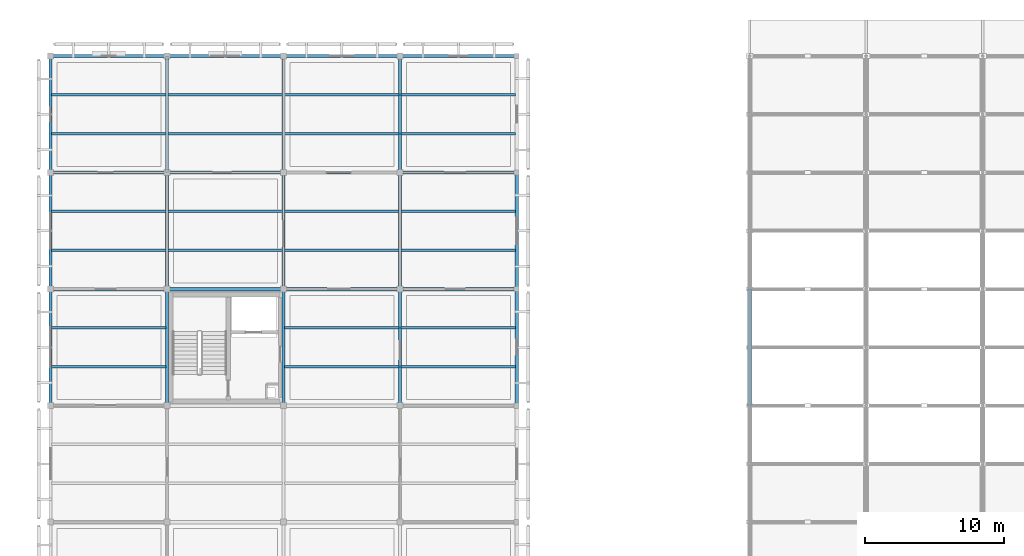
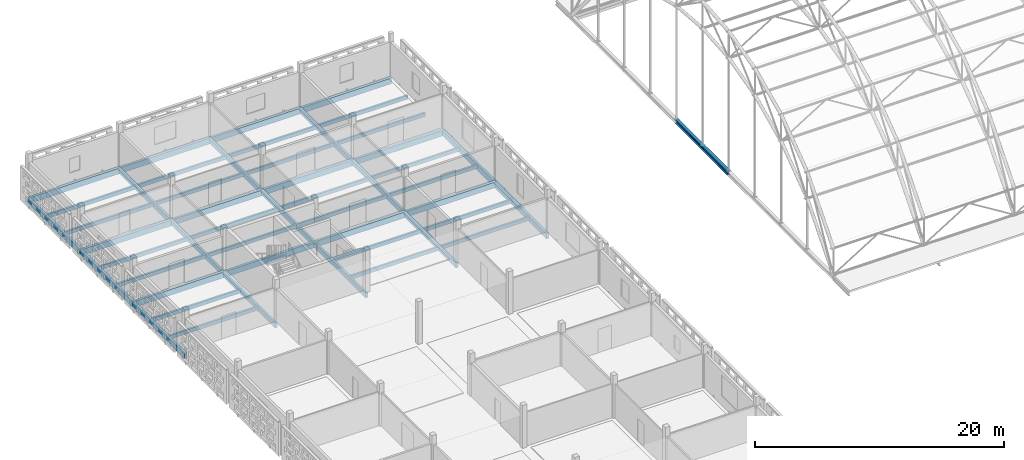
# One storey, part 12 of 103: 49 beams.
"""IFC4 building model written with IfcOpenShell, lengths in metres."""

from ifc_helpers import new_model, si_unit, direction, frame, origin, origin_2d, place, context, subcontext, project, spatial, rectangle, i_section, extrude, material, material_profile, profile_set, type_object, element, save


model = new_model("IFC4")

# Units and contexts
model_context = context("Model", 3, precision=1e-05, world=origin(), true_north=direction((0.0, 1.0)))
body_context = subcontext(model_context, "Body", "Model", "MODEL_VIEW")
ifc_project = project(units=[si_unit("LENGTHUNIT", "METRE"), si_unit("AREAUNIT", "SQUARE_METRE"), si_unit("VOLUMEUNIT", "CUBIC_METRE"), si_unit("PLANEANGLEUNIT", "RADIAN"), si_unit("MASSUNIT", "GRAM", prefix="KILO")], contexts=[model_context])

# Site, building, storey
site_placement = place(None, origin())
site = spatial("IfcSite", under=ifc_project, at=site_placement, CompositionType="ELEMENT")
building_placement = place(site_placement, origin())
building = spatial("IfcBuilding", under=site, at=building_placement, Name="Varnapada Polytechnic", CompositionType="ELEMENT")
storey_placement = place(building_placement, frame((0.0, 0.0, 18.0)))
storey = spatial("IfcBuildingStorey", under=building, at=storey_placement, Name="L04", CompositionType="ELEMENT", Elevation=18.0)

# Beams
ifc_material_1 = material(Name="Glulam GL32h", Category="wood")
ifc_material_profile_1 = material_profile(ifc_material_1, rectangle(XDim=0.239990234375, YDim=0.56005859375, at=origin_2d()), Name="GL 240x560")
ifc_profile_set_1 = profile_set([ifc_material_profile_1], Name="Glulam GL32h")
beam_type_1 = type_object("IfcBeamType", Name="Perimeter glulam spandrel beam SP-02 (GL 240x560)", PredefinedType="SPANDREL", material=ifc_profile_set_1)
beam_1_placement = place(storey_placement, frame((0.0, 126.0, -0.5), z_axis=(1.0, 0.0, 0.0), x_axis=(0.0, 1.0, 0.0)))
element("IfcBeam", 1, at=beam_1_placement, inside=storey, type_object=beam_type_1, Name="L04 beam X 1-2 at Y16", PredefinedType="SPANDREL", context=body_context, shape_type="SweptSolid", body=[
    extrude(rectangle(XDim=0.239990234375, YDim=0.56005859375, at=origin_2d()), origin(), (0.0, 0.0, 1.0), 8.39990234375),
])
beam_2_placement = place(storey_placement, frame((8.39990234375, 126.0, -0.5), z_axis=(1.0, 0.0, 0.0), x_axis=(0.0, 1.0, 0.0)))
element("IfcBeam", 2, at=beam_2_placement, inside=storey, type_object=beam_type_1, Name="L04 beam X 2-3 at Y16", PredefinedType="SPANDREL", context=body_context, shape_type="SweptSolid", body=[
    extrude(rectangle(XDim=0.239990234375, YDim=0.56005859375, at=origin_2d()), origin(), (0.0, 0.0, 1.0), 8.400146484375),
])
beam_3_placement = place(storey_placement, frame((16.800048828125, 126.0, -0.5), z_axis=(1.0, 0.0, 0.0), x_axis=(0.0, 1.0, 0.0)))
element("IfcBeam", 3, at=beam_3_placement, inside=storey, type_object=beam_type_1, Name="L04 beam X 3-4 at Y16", PredefinedType="SPANDREL", context=body_context, shape_type="SweptSolid", body=[
    extrude(rectangle(XDim=0.239990234375, YDim=0.56005859375, at=origin_2d()), origin(), (0.0, 0.0, 1.0), 8.39990234375),
])
beam_4_placement = place(storey_placement, frame((25.199951171875, 126.0, -0.5), z_axis=(1.0, 0.0, 0.0), x_axis=(0.0, 1.0, 0.0)))
element("IfcBeam", 4, at=beam_4_placement, inside=storey, type_object=beam_type_1, Name="L04 beam X 4-5 at Y16", PredefinedType="SPANDREL", context=body_context, shape_type="SweptSolid", body=[
    extrude(rectangle(XDim=0.239990234375, YDim=0.56005859375, at=origin_2d()), origin(), (0.0, 0.0, 1.0), 8.400146484375),
])
beam_5_placement = place(storey_placement, frame((0.0, 100.800048828125, -0.5), z_axis=(0.0, 1.0, 0.0), x_axis=(-1.0, 0.0, 0.0)))
element("IfcBeam", 5, at=beam_5_placement, inside=storey, type_object=beam_type_1, Name="L04 beam Y 13-14 at X1", PredefinedType="SPANDREL", context=body_context, shape_type="SweptSolid", body=[
    extrude(rectangle(XDim=0.239990234375, YDim=0.56005859375, at=origin_2d()), origin(), (0.0, 0.0, 1.0), 8.39990234375),
])
beam_6_placement = place(storey_placement, frame((0.0, 109.199951171875, -0.5), z_axis=(0.0, 1.0, 0.0), x_axis=(-1.0, 0.0, 0.0)))
element("IfcBeam", 6, at=beam_6_placement, inside=storey, type_object=beam_type_1, Name="L04 beam Y 14-15 at X1", PredefinedType="SPANDREL", context=body_context, shape_type="SweptSolid", body=[
    extrude(rectangle(XDim=0.239990234375, YDim=0.56005859375, at=origin_2d()), origin(), (0.0, 0.0, 1.0), 8.400146484375),
])
for number, where, z_axis, x_axis, name in (
    (7, (0.0, 117.60009765625, -0.5), (0.0, 1.0, 0.0), (-1.0, 0.0, 0.0), "L04 beam Y 15-16 at X1"),
    (8, (33.60009765625, 100.800048828125, -0.5), (0.0, 1.0, 0.0), (-1.0, 0.0, 0.0), "L04 beam Y 13-14 at X5"),
):
    element("IfcBeam", number, at=place(storey_placement, frame(where, z_axis=z_axis, x_axis=x_axis)), inside=storey, type_object=beam_type_1, Name=name, PredefinedType="SPANDREL", context=body_context, shape_type="SweptSolid", body=[
        extrude(rectangle(XDim=0.239990234375, YDim=0.56005859375, at=origin_2d()), origin(), (0.0, 0.0, 1.0), 8.39990234375),
    ])
beam_7_placement = place(storey_placement, frame((33.60009765625, 109.199951171875, -0.5), z_axis=(0.0, 1.0, 0.0), x_axis=(-1.0, 0.0, 0.0)))
element("IfcBeam", 9, at=beam_7_placement, inside=storey, type_object=beam_type_1, Name="L04 beam Y 14-15 at X5", PredefinedType="SPANDREL", context=body_context, shape_type="SweptSolid", body=[
    extrude(rectangle(XDim=0.239990234375, YDim=0.56005859375, at=origin_2d()), origin(), (0.0, 0.0, 1.0), 8.400146484375),
])
ifc_material_2 = material(Name="Steel S355", Category="steel")
ifc_material_profile_2 = material_profile(ifc_material_2, i_section(OverallWidth=0.300048828125, OverallDepth=0.389892578125, WebThickness=0.010986328125, FlangeThickness=0.01904296875, FilletRadius=0.027099609375, at=origin_2d()), Name="HEA 400")
ifc_profile_set_2 = profile_set([ifc_material_profile_2], Name="Steel S355")
beam_type_2 = type_object("IfcBeamType", Name="Steel roof primary girder SG-01 (HEA 400)", PredefinedType="BEAM", material=ifc_profile_set_2)
beam_8_placement = place(storey_placement, frame((50.39990234375, 100.800048828125, -0.18994140625), z_axis=(0.0, 1.0, 0.0), x_axis=(-1.0, 0.0, 0.0)))
element("IfcBeam", 10, at=beam_8_placement, inside=storey, type_object=beam_type_2, Name="L04 workshop arch tympanum sill girder W.3", PredefinedType="BEAM", context=body_context, shape_type="SweptSolid", body=[
    extrude(i_section(OverallWidth=0.300048828125, OverallDepth=0.389892578125, WebThickness=0.010986328125, FlangeThickness=0.01904296875, FilletRadius=0.027099609375, at=origin_2d()), origin(), (0.0, 0.0, 1.0), 8.39990234375),
])
ifc_material_profile_3 = material_profile(ifc_material_1, rectangle(XDim=0.239990234375, YDim=0.56005859375, at=origin_2d()), Name="GL 240x560")
ifc_profile_set_3 = profile_set([ifc_material_profile_3], Name="Glulam GL32h")
beam_type_3 = type_object("IfcBeamType", Name="Studio primary glulam girder GG-03 (GL 240x560)", PredefinedType="BEAM", material=ifc_profile_set_3)
for number, where, z_axis, x_axis, name in (
    (11, (0.0, 109.199951171875, -0.5), (1.0, 0.0, 0.0), (0.0, 1.0, 0.0), "L04 beam X 1-2 at Y14"),
    (12, (0.0, 117.60009765625, -0.5), (1.0, 0.0, 0.0), (0.0, 1.0, 0.0), "L04 beam X 1-2 at Y15"),
):
    element("IfcBeam", number, at=place(storey_placement, frame(where, z_axis=z_axis, x_axis=x_axis)), inside=storey, type_object=beam_type_3, Name=name, PredefinedType="BEAM", context=body_context, shape_type="SweptSolid", body=[
        extrude(rectangle(XDim=0.239990234375, YDim=0.56005859375, at=origin_2d()), origin(), (0.0, 0.0, 1.0), 8.39990234375),
    ])
for number, where, z_axis, x_axis, name in (
    (13, (8.39990234375, 109.199951171875, -0.5), (1.0, 0.0, 0.0), (0.0, 1.0, 0.0), "L04 beam X 2-3 at Y14"),
    (14, (8.39990234375, 117.60009765625, -0.5), (1.0, 0.0, 0.0), (0.0, 1.0, 0.0), "L04 beam X 2-3 at Y15"),
):
    element("IfcBeam", number, at=place(storey_placement, frame(where, z_axis=z_axis, x_axis=x_axis)), inside=storey, type_object=beam_type_3, Name=name, PredefinedType="BEAM", context=body_context, shape_type="SweptSolid", body=[
        extrude(rectangle(XDim=0.239990234375, YDim=0.56005859375, at=origin_2d()), origin(), (0.0, 0.0, 1.0), 8.400146484375),
    ])
for number, where, z_axis, x_axis, name in (
    (15, (16.800048828125, 109.199951171875, -0.5), (1.0, 0.0, 0.0), (0.0, 1.0, 0.0), "L04 beam X 3-4 at Y14"),
    (16, (16.800048828125, 117.60009765625, -0.5), (1.0, 0.0, 0.0), (0.0, 1.0, 0.0), "L04 beam X 3-4 at Y15"),
):
    element("IfcBeam", number, at=place(storey_placement, frame(where, z_axis=z_axis, x_axis=x_axis)), inside=storey, type_object=beam_type_3, Name=name, PredefinedType="BEAM", context=body_context, shape_type="SweptSolid", body=[
        extrude(rectangle(XDim=0.239990234375, YDim=0.56005859375, at=origin_2d()), origin(), (0.0, 0.0, 1.0), 8.39990234375),
    ])
for number, where, z_axis, x_axis, name in (
    (17, (25.199951171875, 109.199951171875, -0.5), (1.0, 0.0, 0.0), (0.0, 1.0, 0.0), "L04 beam X 4-5 at Y14"),
    (18, (25.199951171875, 117.60009765625, -0.5), (1.0, 0.0, 0.0), (0.0, 1.0, 0.0), "L04 beam X 4-5 at Y15"),
):
    element("IfcBeam", number, at=place(storey_placement, frame(where, z_axis=z_axis, x_axis=x_axis)), inside=storey, type_object=beam_type_3, Name=name, PredefinedType="BEAM", context=body_context, shape_type="SweptSolid", body=[
        extrude(rectangle(XDim=0.239990234375, YDim=0.56005859375, at=origin_2d()), origin(), (0.0, 0.0, 1.0), 8.400146484375),
    ])
ifc_material_profile_4 = material_profile(ifc_material_1, rectangle(XDim=0.179931640625, YDim=0.360107421875, at=origin_2d()), Name="GL 180x360")
ifc_profile_set_4 = profile_set([ifc_material_profile_4], Name="Glulam GL32h")
beam_type_4 = type_object("IfcBeamType", Name="Studio/seminar glulam floor joist GJ-02 (GL 180x360)", PredefinedType="JOIST", material=ifc_profile_set_4)
for number, where, z_axis, x_axis, name in (
    (19, (0.080078125, 103.60009765625, -0.39990234375), (1.0, 0.0, 0.0), (0.0, 1.0, 0.0), "L04 floor joist 1/13.1"),
    (20, (0.080078125, 106.39990234375, -0.39990234375), (1.0, 0.0, 0.0), (0.0, 1.0, 0.0), "L04 floor joist 1/13.2"),
    (21, (0.080078125, 112.0, -0.39990234375), (1.0, 0.0, 0.0), (0.0, 1.0, 0.0), "L04 floor joist 1/14.1"),
    (22, (0.080078125, 114.800048828125, -0.39990234375), (1.0, 0.0, 0.0), (0.0, 1.0, 0.0), "L04 floor joist 1/14.2"),
    (23, (0.080078125, 120.39990234375, -0.39990234375), (1.0, 0.0, 0.0), (0.0, 1.0, 0.0), "L04 floor joist 1/15.1"),
    (24, (0.080078125, 123.199951171875, -0.39990234375), (1.0, 0.0, 0.0), (0.0, 1.0, 0.0), "L04 floor joist 1/15.2"),
    (25, (8.47998046875, 112.0, -0.39990234375), (1.0, 0.0, 0.0), (0.0, 1.0, 0.0), "L04 floor joist 2/14.1"),
    (26, (8.47998046875, 114.800048828125, -0.39990234375), (1.0, 0.0, 0.0), (0.0, 1.0, 0.0), "L04 floor joist 2/14.2"),
    (27, (8.47998046875, 120.39990234375, -0.39990234375), (1.0, 0.0, 0.0), (0.0, 1.0, 0.0), "L04 floor joist 2/15.1"),
    (28, (8.47998046875, 123.199951171875, -0.39990234375), (1.0, 0.0, 0.0), (0.0, 1.0, 0.0), "L04 floor joist 2/15.2"),
):
    element("IfcBeam", number, at=place(storey_placement, frame(where, z_axis=z_axis, x_axis=x_axis)), inside=storey, type_object=beam_type_4, Name=name, PredefinedType="JOIST", context=body_context, shape_type="SweptSolid", body=[
        extrude(rectangle(XDim=0.179931640625, YDim=0.360107421875, at=origin_2d()), origin(), (0.0, 0.0, 1.0), 8.239990234375),
    ])
for number, where, z_axis, x_axis, name in (
    (29, (16.8798828125, 103.60009765625, -0.39990234375), (1.0, 0.0, 0.0), (0.0, 1.0, 0.0), "L04 floor joist 3/13.1"),
    (30, (16.8798828125, 106.39990234375, -0.39990234375), (1.0, 0.0, 0.0), (0.0, 1.0, 0.0), "L04 floor joist 3/13.2"),
    (31, (16.8798828125, 112.0, -0.39990234375), (1.0, 0.0, 0.0), (0.0, 1.0, 0.0), "L04 floor joist 3/14.1"),
    (32, (16.8798828125, 114.800048828125, -0.39990234375), (1.0, 0.0, 0.0), (0.0, 1.0, 0.0), "L04 floor joist 3/14.2"),
    (33, (16.8798828125, 120.39990234375, -0.39990234375), (1.0, 0.0, 0.0), (0.0, 1.0, 0.0), "L04 floor joist 3/15.1"),
    (34, (16.8798828125, 123.199951171875, -0.39990234375), (1.0, 0.0, 0.0), (0.0, 1.0, 0.0), "L04 floor joist 3/15.2"),
):
    element("IfcBeam", number, at=place(storey_placement, frame(where, z_axis=z_axis, x_axis=x_axis)), inside=storey, type_object=beam_type_4, Name=name, PredefinedType="JOIST", context=body_context, shape_type="SweptSolid", body=[
        extrude(rectangle(XDim=0.179931640625, YDim=0.360107421875, at=origin_2d()), origin(), (0.0, 0.0, 1.0), 8.240234375),
    ])
for number, where, z_axis, x_axis, name in (
    (35, (25.280029296875, 103.60009765625, -0.39990234375), (1.0, 0.0, 0.0), (0.0, 1.0, 0.0), "L04 floor joist 4/13.1"),
    (36, (25.280029296875, 106.39990234375, -0.39990234375), (1.0, 0.0, 0.0), (0.0, 1.0, 0.0), "L04 floor joist 4/13.2"),
    (37, (25.280029296875, 112.0, -0.39990234375), (1.0, 0.0, 0.0), (0.0, 1.0, 0.0), "L04 floor joist 4/14.1"),
    (38, (25.280029296875, 114.800048828125, -0.39990234375), (1.0, 0.0, 0.0), (0.0, 1.0, 0.0), "L04 floor joist 4/14.2"),
    (39, (25.280029296875, 120.39990234375, -0.39990234375), (1.0, 0.0, 0.0), (0.0, 1.0, 0.0), "L04 floor joist 4/15.1"),
    (40, (25.280029296875, 123.199951171875, -0.39990234375), (1.0, 0.0, 0.0), (0.0, 1.0, 0.0), "L04 floor joist 4/15.2"),
):
    element("IfcBeam", number, at=place(storey_placement, frame(where, z_axis=z_axis, x_axis=x_axis)), inside=storey, type_object=beam_type_4, Name=name, PredefinedType="JOIST", context=body_context, shape_type="SweptSolid", body=[
        extrude(rectangle(XDim=0.179931640625, YDim=0.360107421875, at=origin_2d()), origin(), (0.0, 0.0, 1.0), 8.239990234375),
    ])
ifc_material_profile_5 = material_profile(ifc_material_1, rectangle(XDim=0.219970703125, YDim=0.47998046875, at=origin_2d()), Name="GL 220x480")
ifc_profile_set_5 = profile_set([ifc_material_profile_5], Name="Glulam GL32h")
beam_type_5 = type_object("IfcBeamType", Name="Upper floor glulam tie beam GB-11 (GL 220x480)", PredefinedType="BEAM", material=ifc_profile_set_5)
beam_9_placement = place(storey_placement, frame((8.39990234375, 100.800048828125, -0.4599609375), z_axis=(0.0, 1.0, 0.0), x_axis=(-1.0, 0.0, 0.0)))
element("IfcBeam", 41, at=beam_9_placement, inside=storey, type_object=beam_type_5, Name="L04 beam Y 13-14 at X2", PredefinedType="BEAM", context=body_context, shape_type="SweptSolid", body=[
    extrude(rectangle(XDim=0.219970703125, YDim=0.47998046875, at=origin_2d()), origin(), (0.0, 0.0, 1.0), 8.39990234375),
])
beam_10_placement = place(storey_placement, frame((8.39990234375, 109.199951171875, -0.4599609375), z_axis=(0.0, 1.0, 0.0), x_axis=(-1.0, 0.0, 0.0)))
element("IfcBeam", 42, at=beam_10_placement, inside=storey, type_object=beam_type_5, Name="L04 beam Y 14-15 at X2", PredefinedType="BEAM", context=body_context, shape_type="SweptSolid", body=[
    extrude(rectangle(XDim=0.219970703125, YDim=0.47998046875, at=origin_2d()), origin(), (0.0, 0.0, 1.0), 8.400146484375),
])
for number, where, z_axis, x_axis, name in (
    (43, (8.39990234375, 117.60009765625, -0.4599609375), (0.0, 1.0, 0.0), (-1.0, 0.0, 0.0), "L04 beam Y 15-16 at X2"),
    (44, (16.800048828125, 100.800048828125, -0.4599609375), (0.0, 1.0, 0.0), (-1.0, 0.0, 0.0), "L04 beam Y 13-14 at X3"),
):
    element("IfcBeam", number, at=place(storey_placement, frame(where, z_axis=z_axis, x_axis=x_axis)), inside=storey, type_object=beam_type_5, Name=name, PredefinedType="BEAM", context=body_context, shape_type="SweptSolid", body=[
        extrude(rectangle(XDim=0.219970703125, YDim=0.47998046875, at=origin_2d()), origin(), (0.0, 0.0, 1.0), 8.39990234375),
    ])
beam_11_placement = place(storey_placement, frame((16.800048828125, 109.199951171875, -0.4599609375), z_axis=(0.0, 1.0, 0.0), x_axis=(-1.0, 0.0, 0.0)))
element("IfcBeam", 45, at=beam_11_placement, inside=storey, type_object=beam_type_5, Name="L04 beam Y 14-15 at X3", PredefinedType="BEAM", context=body_context, shape_type="SweptSolid", body=[
    extrude(rectangle(XDim=0.219970703125, YDim=0.47998046875, at=origin_2d()), origin(), (0.0, 0.0, 1.0), 8.400146484375),
])
for number, where, z_axis, x_axis, name in (
    (46, (16.800048828125, 117.60009765625, -0.4599609375), (0.0, 1.0, 0.0), (-1.0, 0.0, 0.0), "L04 beam Y 15-16 at X3"),
    (47, (25.199951171875, 100.800048828125, -0.4599609375), (0.0, 1.0, 0.0), (-1.0, 0.0, 0.0), "L04 beam Y 13-14 at X4"),
):
    element("IfcBeam", number, at=place(storey_placement, frame(where, z_axis=z_axis, x_axis=x_axis)), inside=storey, type_object=beam_type_5, Name=name, PredefinedType="BEAM", context=body_context, shape_type="SweptSolid", body=[
        extrude(rectangle(XDim=0.219970703125, YDim=0.47998046875, at=origin_2d()), origin(), (0.0, 0.0, 1.0), 8.39990234375),
    ])
beam_12_placement = place(storey_placement, frame((25.199951171875, 109.199951171875, -0.4599609375), z_axis=(0.0, 1.0, 0.0), x_axis=(-1.0, 0.0, 0.0)))
element("IfcBeam", 48, at=beam_12_placement, inside=storey, type_object=beam_type_5, Name="L04 beam Y 14-15 at X4", PredefinedType="BEAM", context=body_context, shape_type="SweptSolid", body=[
    extrude(rectangle(XDim=0.219970703125, YDim=0.47998046875, at=origin_2d()), origin(), (0.0, 0.0, 1.0), 8.400146484375),
])
beam_13_placement = place(storey_placement, frame((25.199951171875, 117.60009765625, -0.4599609375), z_axis=(0.0, 1.0, 0.0), x_axis=(-1.0, 0.0, 0.0)))
element("IfcBeam", 49, at=beam_13_placement, inside=storey, type_object=beam_type_5, Name="L04 beam Y 15-16 at X4", PredefinedType="BEAM", context=body_context, shape_type="SweptSolid", body=[
    extrude(rectangle(XDim=0.219970703125, YDim=0.47998046875, at=origin_2d()), origin(), (0.0, 0.0, 1.0), 8.39990234375),
])

save(model, "model.ifc")
